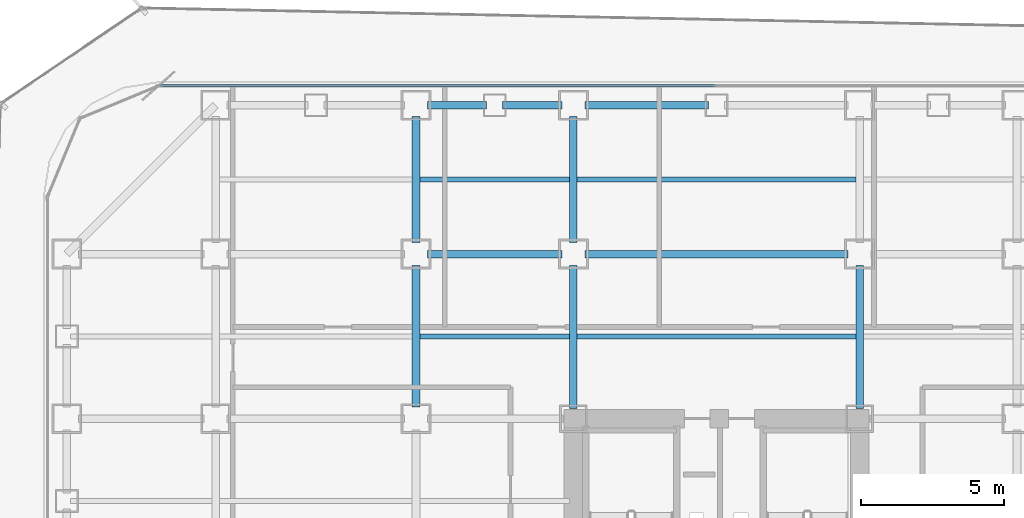
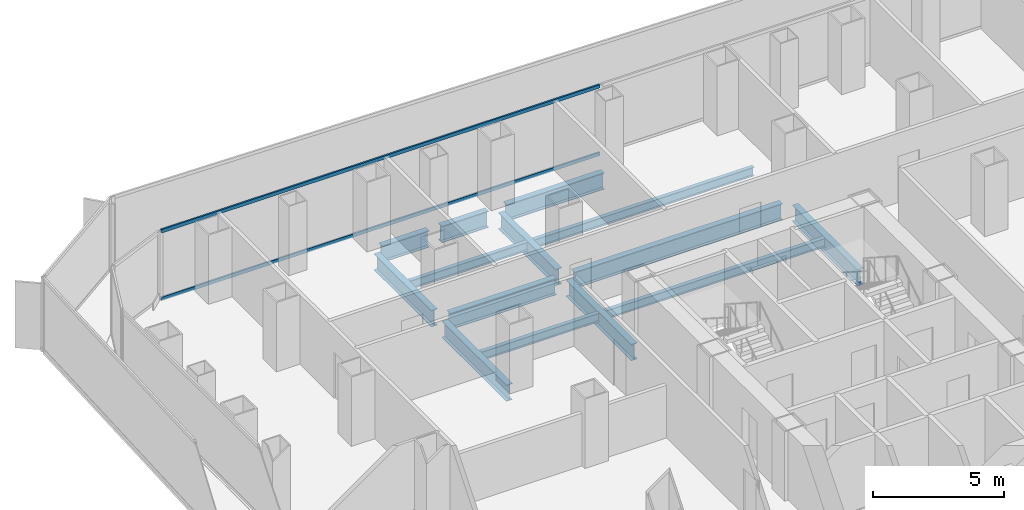
# One storey, part 12 of 22: 14 beams, 2 members, 1 element without a shape of its own.
"""IFC4 building model written with IfcOpenShell, lengths in metres."""

from ifc_helpers import new_model, si_unit, direction, frame, origin, origin_2d, place, context, subcontext, project, spatial, hollow_rectangle, i_section, extrude, source, transform, mapped, material, layer, layer_set, material_profile, profile_set, type_object, element, aggregate, save


model = new_model("IFC4")

# Units and contexts
model_context = context("Model", 3, precision=1e-05, world=origin(), true_north=direction((0.0, 1.0)))
body_context = subcontext(model_context, "Body", "Model", "MODEL_VIEW")
ifc_project = project(units=[si_unit("LENGTHUNIT", "METRE"), si_unit("AREAUNIT", "SQUARE_METRE"), si_unit("VOLUMEUNIT", "CUBIC_METRE"), si_unit("PLANEANGLEUNIT", "RADIAN"), si_unit("MASSUNIT", "GRAM", prefix="KILO")], contexts=[model_context])

# Site, building, storey
site_placement = place(None, origin())
site = spatial("IfcSite", under=ifc_project, at=site_placement, CompositionType="ELEMENT")
building_placement = place(site_placement, origin())
building = spatial("IfcBuilding", under=site, at=building_placement, Name="Kolveth Station Tower", CompositionType="ELEMENT")
storey_placement = place(building_placement, frame((0.0, 0.0, 84.60009765625)))
storey = spatial("IfcBuildingStorey", under=building, at=storey_placement, Name="L22", CompositionType="ELEMENT", Elevation=84.60009765625)

# Beams
ifc_material_1 = material(Name="Steel S355", Category="steel")
ifc_material_profile_1 = material_profile(ifc_material_1, i_section(OverallWidth=0.26904296875, OverallDepth=0.77490234375, WebThickness=0.01708984375, FlangeThickness=0.0283203125, at=origin_2d()), Name="W760x220")
ifc_profile_set_1 = profile_set([ifc_material_profile_1], Name="Steel S355")
beam_type_1 = type_object("IfcBeamType", Name="Beam_SP1", PredefinedType="SPANDREL", material=ifc_profile_set_1)
shared_shape_1 = source(origin(), body_context, "Body", "SweptSolid", [
    extrude(i_section(OverallWidth=0.26904296875, OverallDepth=0.77490234375, WebThickness=0.01708984375, FlangeThickness=0.0283203125, at=origin_2d()), origin(), (0.0, 0.0, 1.0), 2.070068359375),
])
for number, where, z_axis, x_axis, name in (
    (1, (13.39990234375, 39.699951171875, -0.66748046875), (1.0, 0.0, 0.0), (0.0, 1.0, 0.0), "L22 Perimeter Spandrel BM-L22-PN-3"),
    (2, (16.030029296875, 39.699951171875, -0.66748046875), (1.0, 0.0, 0.0), (0.0, 1.0, 0.0), "L22 Perimeter Spandrel BM-L22-PN-4"),
):
    element("IfcBeam", number, at=place(storey_placement, frame(where, z_axis=z_axis, x_axis=x_axis)), inside=storey, type_object=beam_type_1, Name=name, PredefinedType="SPANDREL", context=body_context, shape_type="MappedRepresentation", body=[
        mapped(shared_shape_1, transform((0.0, 0.0, 0.0), x_axis=(1.0, 0.0, 0.0), y_axis=(0.0, 1.0, 0.0), z_axis=(0.0, 0.0, 1.0), scale=1.0)),
    ])
shared_shape_2 = source(origin(), body_context, "Body", "SweptSolid", [
    extrude(i_section(OverallWidth=0.26904296875, OverallDepth=0.77490234375, WebThickness=0.01708984375, FlangeThickness=0.0283203125, at=origin_2d()), origin(), (0.0, 0.0, 1.0), 4.320068359375),
])
beam_1_placement = place(storey_placement, frame((18.89990234375, 39.699951171875, -0.66748046875), z_axis=(1.0, 0.0, 0.0), x_axis=(0.0, 1.0, 0.0)))
element("IfcBeam", 3, at=beam_1_placement, inside=storey, type_object=beam_type_1, Name="L22 Perimeter Spandrel BM-L22-PN-5", PredefinedType="SPANDREL", context=body_context, shape_type="MappedRepresentation", body=[
    mapped(shared_shape_2, transform((0.0, 0.0, 0.0), x_axis=(1.0, 0.0, 0.0), y_axis=(0.0, 1.0, 0.0), z_axis=(0.0, 0.0, 1.0), scale=1.0)),
])
ifc_material_profile_2 = material_profile(ifc_material_1, i_section(OverallWidth=0.26708984375, OverallDepth=0.76611328125, WebThickness=0.014892578125, FlangeThickness=0.023681640625, at=origin_2d()), Name="W760x185")
ifc_profile_set_2 = profile_set([ifc_material_profile_2], Name="Steel S355")
beam_type_2 = type_object("IfcBeamType", Name="Beam_B3", PredefinedType="BEAM", material=ifc_profile_set_2)
shared_shape_3 = source(origin(), body_context, "Body", "SweptSolid", [
    extrude(i_section(OverallWidth=0.26708984375, OverallDepth=0.76611328125, WebThickness=0.014892578125, FlangeThickness=0.023681640625, at=origin_2d()), origin(), (0.0, 0.0, 1.0), 4.400146484375),
])
for number, where, z_axis, x_axis, name in (
    (4, (13.0, 34.89990234375, -0.6630859375), (0.0, 1.0, 0.0), (-1.0, 0.0, 0.0), "L22 Primary Girder BM-L22-GX130-7"),
    (5, (18.5, 34.89990234375, -0.6630859375), (0.0, 1.0, 0.0), (-1.0, 0.0, 0.0), "L22 Primary Girder BM-L22-GX185-7"),
):
    element("IfcBeam", number, at=place(storey_placement, frame(where, z_axis=z_axis, x_axis=x_axis)), inside=storey, type_object=beam_type_2, Name=name, PredefinedType="BEAM", context=body_context, shape_type="MappedRepresentation", body=[
        mapped(shared_shape_3, transform((0.0, 0.0, 0.0), x_axis=(1.0, 0.0, 0.0), y_axis=(0.0, 1.0, 0.0), z_axis=(0.0, 0.0, 1.0), scale=1.0)),
    ])
shared_shape_4 = source(origin(), body_context, "Body", "SweptSolid", [
    extrude(i_section(OverallWidth=0.26708984375, OverallDepth=0.76611328125, WebThickness=0.014892578125, FlangeThickness=0.023681640625, at=origin_2d()), origin(), (0.0, 0.0, 1.0), 4.7001953125),
])
beam_2_placement = place(storey_placement, frame((13.39990234375, 34.5, -0.6630859375), z_axis=(1.0, 0.0, 0.0), x_axis=(0.0, 1.0, 0.0)))
element("IfcBeam", 6, at=beam_2_placement, inside=storey, type_object=beam_type_2, Name="L22 Primary Girder BM-L22-GY345-3", PredefinedType="BEAM", context=body_context, shape_type="MappedRepresentation", body=[
    mapped(shared_shape_4, transform((0.0, 0.0, 0.0), x_axis=(1.0, 0.0, 0.0), y_axis=(0.0, 1.0, 0.0), z_axis=(0.0, 0.0, 1.0), scale=1.0)),
])
shared_shape_5 = source(origin(), body_context, "Body", "SweptSolid", [
    extrude(i_section(OverallWidth=0.26708984375, OverallDepth=0.76611328125, WebThickness=0.014892578125, FlangeThickness=0.023681640625, at=origin_2d()), origin(), (0.0, 0.0, 1.0), 9.2001953125),
])
beam_3_placement = place(storey_placement, frame((18.89990234375, 34.5, -0.6630859375), z_axis=(1.0, 0.0, 0.0), x_axis=(0.0, 1.0, 0.0)))
element("IfcBeam", 7, at=beam_3_placement, inside=storey, type_object=beam_type_2, Name="L22 Primary Girder BM-L22-GY345-4", PredefinedType="BEAM", context=body_context, shape_type="MappedRepresentation", body=[
    mapped(shared_shape_5, transform((0.0, 0.0, 0.0), x_axis=(1.0, 0.0, 0.0), y_axis=(0.0, 1.0, 0.0), z_axis=(0.0, 0.0, 1.0), scale=1.0)),
])
shared_shape_6 = source(origin(), body_context, "Body", "SweptSolid", [
    extrude(i_section(OverallWidth=0.26708984375, OverallDepth=0.76611328125, WebThickness=0.014892578125, FlangeThickness=0.023681640625, at=origin_2d()), origin(), (0.0, 0.0, 1.0), 4.9501953125),
])
beam_4_placement = place(storey_placement, frame((13.0, 29.14990234375, -0.6630859375), z_axis=(0.0, 1.0, 0.0), x_axis=(-1.0, 0.0, 0.0)))
element("IfcBeam", 8, at=beam_4_placement, inside=storey, type_object=beam_type_2, Name="L22 Primary Girder BM-L22-GX130-6", PredefinedType="BEAM", context=body_context, shape_type="MappedRepresentation", body=[
    mapped(shared_shape_6, transform((0.0, 0.0, 0.0), x_axis=(1.0, 0.0, 0.0), y_axis=(0.0, 1.0, 0.0), z_axis=(0.0, 0.0, 1.0), scale=1.0)),
])
shared_shape_7 = source(origin(), body_context, "Body", "SweptSolid", [
    extrude(i_section(OverallWidth=0.26708984375, OverallDepth=0.76611328125, WebThickness=0.014892578125, FlangeThickness=0.023681640625, at=origin_2d()), origin(), (0.0, 0.0, 1.0), 4.989990234375),
])
for number, where, z_axis, x_axis, name in (
    (9, (18.5, 29.110107421875, -0.6630859375), (0.0, 1.0, 0.0), (-1.0, 0.0, 0.0), "L22 Primary Girder BM-L22-GX185-6"),
    (10, (28.5, 29.110107421875, -0.6630859375), (0.0, 1.0, 0.0), (-1.0, 0.0, 0.0), "L22 Primary Girder BM-L22-GX285-6"),
):
    element("IfcBeam", number, at=place(storey_placement, frame(where, z_axis=z_axis, x_axis=x_axis)), inside=storey, type_object=beam_type_2, Name=name, PredefinedType="BEAM", context=body_context, shape_type="MappedRepresentation", body=[
        mapped(shared_shape_7, transform((0.0, 0.0, 0.0), x_axis=(1.0, 0.0, 0.0), y_axis=(0.0, 1.0, 0.0), z_axis=(0.0, 0.0, 1.0), scale=1.0)),
    ])
ifc_material_profile_3 = material_profile(ifc_material_1, i_section(OverallWidth=0.177978515625, OverallDepth=0.406982421875, WebThickness=0.0078125, FlangeThickness=0.0126953125, at=origin_2d()), Name="W410x60")
ifc_profile_set_3 = profile_set([ifc_material_profile_3], Name="Steel S355")
beam_type_3 = type_object("IfcBeamType", Name="Beam_J1", PredefinedType="JOIST", material=ifc_profile_set_3)
shared_shape_8 = source(origin(), body_context, "Body", "SweptSolid", [
    extrude(i_section(OverallWidth=0.177978515625, OverallDepth=0.406982421875, WebThickness=0.0078125, FlangeThickness=0.0126953125, at=origin_2d()), origin(), (0.0, 0.0, 1.0), 5.23681640625),
])
for number, where, z_axis, x_axis, name in (
    (11, (13.131591796875, 31.625, -0.483642578125), (1.0, 0.0, 0.0), (0.0, 1.0, 0.0), "L22 Secondary Joist JST-L22-3-6"),
    (12, (13.131591796875, 37.10009765625, -0.483642578125), (1.0, 0.0, 0.0), (0.0, 1.0, 0.0), "L22 Secondary Joist JST-L22-3-7"),
):
    element("IfcBeam", number, at=place(storey_placement, frame(where, z_axis=z_axis, x_axis=x_axis)), inside=storey, type_object=beam_type_3, Name=name, PredefinedType="JOIST", context=body_context, shape_type="MappedRepresentation", body=[
        mapped(shared_shape_8, transform((0.0, 0.0, 0.0), x_axis=(1.0, 0.0, 0.0), y_axis=(0.0, 1.0, 0.0), z_axis=(0.0, 0.0, 1.0), scale=1.0)),
    ])
shared_shape_9 = source(origin(), body_context, "Body", "SweptSolid", [
    extrude(i_section(OverallWidth=0.177978515625, OverallDepth=0.406982421875, WebThickness=0.0078125, FlangeThickness=0.0126953125, at=origin_2d()), origin(), (0.0, 0.0, 1.0), 9.73681640625),
])
for number, where, z_axis, x_axis, name in (
    (13, (18.631591796875, 31.625, -0.483642578125), (1.0, 0.0, 0.0), (0.0, 1.0, 0.0), "L22 Secondary Joist JST-L22-4-6"),
    (14, (18.631591796875, 37.10009765625, -0.483642578125), (1.0, 0.0, 0.0), (0.0, 1.0, 0.0), "L22 Secondary Joist JST-L22-4-7"),
):
    element("IfcBeam", number, at=place(storey_placement, frame(where, z_axis=z_axis, x_axis=x_axis)), inside=storey, type_object=beam_type_3, Name=name, PredefinedType="JOIST", context=body_context, shape_type="MappedRepresentation", body=[
        mapped(shared_shape_9, transform((0.0, 0.0, 0.0), x_axis=(1.0, 0.0, 0.0), y_axis=(0.0, 1.0, 0.0), z_axis=(0.0, 0.0, 1.0), scale=1.0)),
    ])

# Curtain wall, members
ifc_material_2 = material(Name="Aluminium 6063-T6 and low-E dark glass", Category="aluminium")
ifc_layer = layer(ifc_material_2, 0.179931640625)
ifc_layer_set = layer_set([ifc_layer], Name="Aluminium 6063-T6 and low-E dark glass")
curtain_wall_type = type_object("IfcCurtainWallType", Name="CurtainWall_CW-Z1", PredefinedType="NOTDEFINED", material=ifc_layer_set)
curtain_wall_placement = place(storey_placement, origin())
curtain_wall = element("IfcCurtainWall", 15, at=curtain_wall_placement, inside=storey, type_object=curtain_wall_type, Name="L22 Inner Thermal Curtain Wall 6", PredefinedType="NOTDEFINED")
ifc_material_3 = material(Name="Black anodized aluminium 6063-T6", Category="aluminium")
ifc_material_profile_4 = material_profile(ifc_material_3, hollow_rectangle(XDim=0.074951171875, YDim=0.159912109375, WallThickness=0.0048828125, at=origin_2d()), Name="ALU-75x160x5")
ifc_profile_set_4 = profile_set([ifc_material_profile_4], Name="Black anodized aluminium 6063-T6")
member_type = type_object("IfcMemberType", Name="Transom_TR1", PredefinedType="USERDEFINED", material=ifc_profile_set_4)
shared_shape_10 = source(origin(), body_context, "Body", "SweptSolid", [
    extrude(hollow_rectangle(XDim=0.074951171875, YDim=0.159912109375, WallThickness=0.0048828125, at=origin_2d()), origin(), (0.0, 0.0, 1.0), 19.387451171875),
])
member_1_placement = place(storey_placement, frame((23.46240234375, 40.3798828125, 0.037353515625), z_axis=(-1.0, 0.0, 0.0), x_axis=(0.0, -1.0, 0.0)))
member_1 = element("IfcMember", 16, at=member_1_placement, type_object=member_type, Name="CW-Z1 transom 2.1", ObjectType="TRANSOM", PredefinedType="USERDEFINED", context=body_context, shape_type="MappedRepresentation", body=[
    mapped(shared_shape_10, transform((0.0, 0.0, 0.0), x_axis=(1.0, 0.0, 0.0), y_axis=(0.0, 1.0, 0.0), z_axis=(0.0, 0.0, 1.0), scale=1.0)),
])
member_2_placement = place(storey_placement, frame((23.46240234375, 40.3798828125, 3.202392578125), z_axis=(-1.0, 0.0, 0.0), x_axis=(0.0, -1.0, 0.0)))
member_2 = element("IfcMember", 17, at=member_2_placement, type_object=member_type, Name="CW-Z1 transom 2.2", ObjectType="TRANSOM", PredefinedType="USERDEFINED", context=body_context, shape_type="MappedRepresentation", body=[
    mapped(shared_shape_10, transform((0.0, 0.0, 0.0), x_axis=(1.0, 0.0, 0.0), y_axis=(0.0, 1.0, 0.0), z_axis=(0.0, 0.0, 1.0), scale=1.0)),
])
aggregate(curtain_wall, [member_1, member_2])

save(model, "model.ifc")
